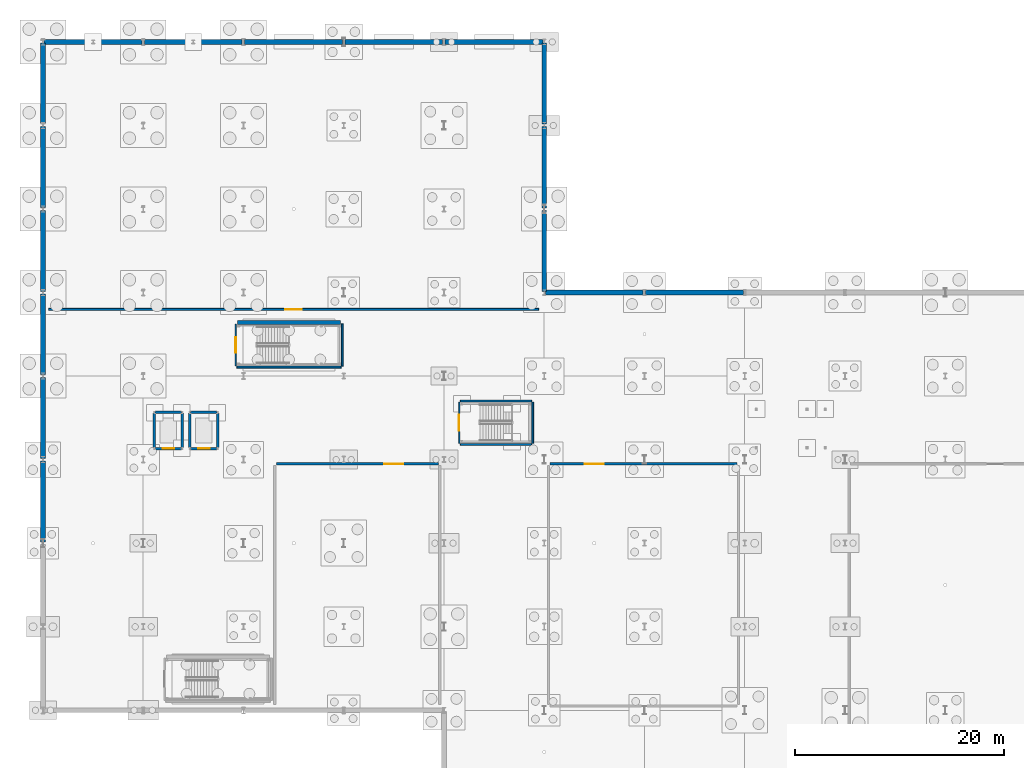
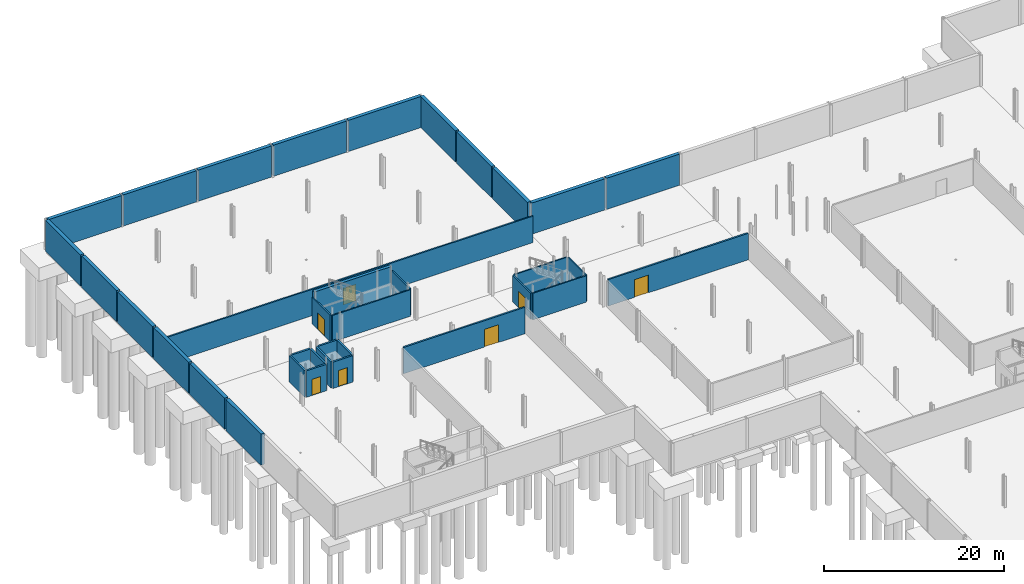
# One storey, part 38 of 47: 35 walls, 7 doors, 7 openings.
"""IFC4 building model written with IfcOpenShell, lengths in metres."""

import ifcopenshell
import ifcopenshell.guid

model = None  # the IFC model being written
_history = None  # IfcOwnerHistory: only IFC2X3 demands one
_inside = {}  # id of a spatial element -> (the spatial element, [elements in it])
_under = {}  # id of a project, library or spatial element -> (it, [spatial elements below it])
_declared = {}  # id of a project -> (the project, [libraries it declares])
_typed = {}  # id of a type object -> (the type object, [elements of that type])
_made_of = {}  # id of a material, layer set ... -> (it, [elements and type objects made of it])


def new_model(schema):
    """Start an empty IFC model of exactly this schema.

    Asked for "IFC4X3", IfcOpenShell would pick the latest addendum, in which some entities
    have other attributes; the version numbers below select the first issue.
    IFC2X3 requires an IfcOwnerHistory on every rooted entity: one is made here for all.
    """
    global model, _history
    if schema == "IFC4X3":
        model = ifcopenshell.file(schema_version=(4, 3, 0, 0))
    else:
        model = ifcopenshell.file(schema=schema)
    _inside.clear()
    _under.clear()
    _declared.clear()
    _typed.clear()
    _made_of.clear()
    _history = None
    if model.schema == "IFC2X3":
        org = make("IfcOrganization", Name="unknown")
        user = make(
            "IfcPersonAndOrganization",
            ThePerson=make("IfcPerson", FamilyName="unknown"),
            TheOrganization=org,
        )
        app = make(
            "IfcApplication",
            ApplicationDeveloper=org,
            Version="unknown",
            ApplicationFullName="unknown",
            ApplicationIdentifier="unknown",
        )
        _history = make(
            "IfcOwnerHistory",
            OwningUser=user,
            OwningApplication=app,
            ChangeAction="ADDED",
            CreationDate=0,
        )
    return model


def make(cls, **values):
    """One entity of the class cls with the attributes given. An attribute that is None is left unset."""
    return model.create_entity(
        cls, **{name: value for name, value in values.items() if value is not None}
    )


def rooted(cls, **values):
    """An entity with a GlobalId (a new one), such as an element, a storey or a relation."""
    return make(cls, GlobalId=ifcopenshell.guid.new(), OwnerHistory=_history, **values)


def si_unit(unit_type, name, prefix=None):
    """IfcSIUnit, for example si_unit("LENGTHUNIT", "METRE", prefix="MILLI")."""
    return make("IfcSIUnit", UnitType=unit_type, Prefix=prefix, Name=name)


def assignment(units):
    """IfcUnitAssignment: the units of a project."""
    return None if units is None else make("IfcUnitAssignment", Units=units)


def point(xyz):
    """IfcCartesianPoint."""
    return None if xyz is None else make("IfcCartesianPoint", Coordinates=xyz)


def direction(xyz):
    """IfcDirection."""
    return None if xyz is None else make("IfcDirection", DirectionRatios=xyz)


def frame(location, z_axis=None, x_axis=None):
    """IfcAxis2Placement3D, a coordinate frame: its origin and axes. An axis left out is left unset."""
    return make(
        "IfcAxis2Placement3D",
        Location=point(location),
        Axis=direction(z_axis),
        RefDirection=direction(x_axis),
    )


def frame_2d(location, x_axis=None):
    """IfcAxis2Placement2D, a coordinate frame in the plane: its origin and x axis."""
    return make(
        "IfcAxis2Placement2D", Location=point(location), RefDirection=direction(x_axis)
    )


def origin():
    """The frame at (0, 0, 0) with its axes left unset."""
    return frame((0.0, 0.0, 0.0))


def place(relative_to, where):
    """IfcLocalPlacement: puts the frame where relative to a parent placement (None: the world)."""
    return make(
        "IfcLocalPlacement", PlacementRelTo=relative_to, RelativePlacement=where
    )


def context(
    kind, dimensions, precision=None, world=None, true_north=None, identifier=None
):
    """IfcGeometricRepresentationContext, for example the 3D "Model" context."""
    return make(
        "IfcGeometricRepresentationContext",
        ContextIdentifier=identifier,
        ContextType=kind,
        CoordinateSpaceDimension=dimensions,
        Precision=precision,
        WorldCoordinateSystem=world,
        TrueNorth=true_north,
    )


def subcontext(parent, identifier, kind, view, scale=None):
    """IfcGeometricRepresentationSubContext, for example "Body" below "Model"."""
    return make(
        "IfcGeometricRepresentationSubContext",
        ContextIdentifier=identifier,
        ContextType=kind,
        ParentContext=parent,
        TargetScale=scale,
        TargetView=view,
    )


def project(units=None, contexts=None):
    """IfcProject with its units and contexts."""
    return rooted(
        "IfcProject",
        Name="project",
        RepresentationContexts=contexts,
        UnitsInContext=assignment(units),
    )


def spatial(cls, under=None, at=None, **own):
    """A site, building, storey or space (cls), placed at a placement, below another one or the project."""
    s = rooted(cls, ObjectPlacement=at, **own)
    if under is not None:
        _under.setdefault(under.id(), (under, []))[1].append(s)
    return s


def profile(cls, at=None, kind="AREA", **sizes):
    """A parametric profile (cls). Its sizes go by their IFC names, for example OverallWidth=200.0."""
    return make(cls, ProfileType=kind, Position=at, **sizes)


def rectangle(**sizes):
    """IfcRectangleProfileDef."""
    return profile("IfcRectangleProfileDef", **sizes)


def extrude(swept, where, along, depth):
    """IfcExtrudedAreaSolid: the profile swept, set in the frame where, extruded along a direction by depth."""
    return make(
        "IfcExtrudedAreaSolid",
        SweptArea=swept,
        Position=where,
        ExtrudedDirection=direction(along),
        Depth=depth,
    )


def shape(context_of_items, identifier, shape_type, items):
    """IfcShapeRepresentation: the items that make up one representation, for example the "Body"."""
    return make(
        "IfcShapeRepresentation",
        ContextOfItems=context_of_items,
        RepresentationIdentifier=identifier,
        RepresentationType=shape_type,
        Items=items,
    )


def material(Name=None, Category=None):
    """IfcMaterial."""
    return make("IfcMaterial", Name=Name, Category=Category)


def layer(
    of_material, thickness, ventilated=None, Name=None, Category=None, Priority=None
):
    """IfcMaterialLayer: one layer of a wall or slab, of a material (None: an air gap)."""
    return make(
        "IfcMaterialLayer",
        Material=of_material,
        LayerThickness=thickness,
        IsVentilated=ventilated,
        Name=Name,
        Category=Category,
        Priority=Priority,
    )


def layer_set(layers, Name=None):
    """IfcMaterialLayerSet."""
    return make("IfcMaterialLayerSet", MaterialLayers=layers, LayerSetName=Name)


def made_of(thing, what):
    """Note that an element or type object is made of a material, layer set ...; save() writes the relation."""
    if what is not None:
        _made_of.setdefault(what.id(), (what, []))[1].append(thing)
    return thing


def type_object(cls, material=None, **own):
    """A type object (cls), such as IfcWallType, which elements share."""
    return made_of(rooted(cls, **own), material)


def element(
    cls,
    number,
    at=None,
    inside=None,
    cuts=None,
    type_object=None,
    material=None,
    context=None,
    identifier="Body",
    shape_type=None,
    held_by="IfcProductDefinitionShape",
    body=None,
    shapes=None,
    **own,
):
    """One element of the class cls, such as IfcWall. Its Tag is "e" and its number.

    at: its placement. inside: the storey or other place that contains it. cuts: it is an
    opening in that element (IfcRelVoidsElement). A single representation is given by context,
    identifier, shape_type and body (its items); several are given by shapes. held_by: the class
    of the entity that holds the representations. save() writes the other relations.
    """
    e = rooted(cls, Tag="e%d" % number, ObjectPlacement=at, **own)
    if body is not None:
        shapes = [shape(context, identifier, shape_type, body)]
    if shapes is not None:
        e.Representation = make(held_by, Representations=shapes)
    if inside is not None:
        _inside.setdefault(inside.id(), (inside, []))[1].append(e)
    if cuts is not None:
        rooted(
            "IfcRelVoidsElement", RelatingBuildingElement=cuts, RelatedOpeningElement=e
        )
    if type_object is not None:
        _typed.setdefault(type_object.id(), (type_object, []))[1].append(e)
    return made_of(e, material)


def fill(opening, filler):
    """IfcRelFillsElement: the door or window that sits in an opening."""
    return rooted(
        "IfcRelFillsElement",
        RelatingOpeningElement=opening,
        RelatedBuildingElement=filler,
    )


def aggregate(whole, parts):
    """IfcRelAggregates: a whole, such as a stair, and the parts it consists of."""
    return rooted("IfcRelAggregates", RelatingObject=whole, RelatedObjects=parts)


def save(model, path):
    """Write the relations noted so far, then the file.

    IfcRelAggregates (storeys below a building ...), IfcRelContainedInSpatialStructure (elements
    in a storey), IfcRelDefinesByType, IfcRelAssociatesMaterial and IfcRelDeclares: one each for
    every whole, place, type object, material and project.
    """
    for whole, parts in _under.values():
        aggregate(whole, parts)
    for where, things in _inside.values():
        rooted(
            "IfcRelContainedInSpatialStructure",
            RelatedElements=things,
            RelatingStructure=where,
        )
    for kind, things in _typed.values():
        rooted("IfcRelDefinesByType", RelatedObjects=things, RelatingType=kind)
    for what, things in _made_of.values():
        rooted("IfcRelAssociatesMaterial", RelatedObjects=things, RelatingMaterial=what)
    for by, libraries in _declared.values():
        rooted("IfcRelDeclares", RelatingContext=by, RelatedDefinitions=libraries)
    model.write(path)


model = new_model("IFC4")

# Units and contexts
model_context = context("Model", 3, precision=1e-05, world=origin(), true_north=direction((0.0, 1.0)))
body_context = subcontext(model_context, "Body", "Model", "MODEL_VIEW")
ifc_project = project(units=[si_unit("LENGTHUNIT", "METRE"), si_unit("AREAUNIT", "SQUARE_METRE"), si_unit("VOLUMEUNIT", "CUBIC_METRE"), si_unit("PLANEANGLEUNIT", "RADIAN"), si_unit("MASSUNIT", "GRAM", prefix="KILO")], contexts=[model_context])

# Site, building, storey
site_placement = place(None, origin())
site = spatial("IfcSite", under=ifc_project, at=site_placement, CompositionType="ELEMENT")
building_placement = place(site_placement, origin())
building = spatial("IfcBuilding", under=site, at=building_placement, Name="Alderhovde Museum", CompositionType="ELEMENT")
storey_placement = place(building_placement, frame((0.0, 0.0, -4.5)))
storey = spatial("IfcBuildingStorey", under=building, at=storey_placement, Name="B1", CompositionType="ELEMENT", Elevation=-4.5)

# Wall, opening, door
ifc_material_1 = material(Name="Fire-Resisting Twin-Stud Compartment Wall")
ifc_layer_1 = layer(ifc_material_1, 0.18994140625)
ifc_layer_set_1 = layer_set([ifc_layer_1], Name="Fire-Resisting Twin-Stud Compartment Wall")
wall_type_1 = type_object("IfcWallType", Name="IW-FIRE-190", PredefinedType="SOLIDWALL", material=ifc_layer_set_1)
wall_1_placement = place(storey_placement, frame((10.139892578125, 86.39990234375, 0.0), z_axis=(0.0, 0.0, 1.0), x_axis=(1.0, 0.0, 0.0)))
wall_1 = element("IfcWall", 1, at=wall_1_placement, inside=storey, type_object=wall_type_1, Name="B1 Covered Bicycle Parking Hub Partition Wall S", PredefinedType="SOLIDWALL", context=body_context, shape_type="SweptSolid", body=[
    extrude(rectangle(XDim=46.920166015625, YDim=0.18994140625, at=frame_2d((23.4599609375, 0.0))), origin(), (0.0, 0.0, 1.0), 3.580078125),
])
opening_1_placement = place(wall_1_placement, frame((22.659912109375, 0.0, 0.0)))
opening_1 = element("IfcOpeningElement", 2, at=opening_1_placement, cuts=wall_1, Name="Opening FD-3", PredefinedType="OPENING", context=body_context, shape_type="SweptSolid", body=[
    extrude(rectangle(XDim=1.60009765625, YDim=2.25, at=frame_2d((0.800048828125, 1.125))), frame((0.0, 0.10498046875, 0.0), z_axis=(0.0, -1.0, 0.0), x_axis=(1.0, 0.0, 0.0)), (0.0, 0.0, 1.0), 0.2099609375),
])
ifc_material_2 = material(Name="Fire-Rated Compartment Double Door (Steel/Oak)", Category="steel")
door_type_1 = type_object("IfcDoorType", Name="FD-COMP-1600x2250", OperationType="NOTDEFINED", PredefinedType="DOOR", material=ifc_material_2)
door_1_placement = place(opening_1_placement, origin())
door_1 = element("IfcDoor", 3, at=door_1_placement, inside=storey, type_object=door_type_1, Name="B1 Covered Bicycle Parking Hub Door", OperationType="DOUBLE_DOOR_SINGLE_SWING", OverallHeight=2.25, OverallWidth=1.60009765625, PredefinedType="DOOR", context=body_context, shape_type="SweptSolid", body=[
    extrude(rectangle(XDim=1.60009765625, YDim=2.25, at=frame_2d((0.800048828125, 1.125))), frame((0.0, 0.02490234375, 0.0), z_axis=(0.0, -1.0, 0.0), x_axis=(1.0, 0.0, 0.0)), (0.0, 0.0, 1.0), 0.050048828125),
])
fill(opening_1, door_1)

ifc_material_3 = material(Name="Fire-Resisting Masonry Compartment Wall", Category="masonry")
ifc_layer_2 = layer(ifc_material_3, 0.2099609375)
ifc_layer_set_2 = layer_set([ifc_layer_2], Name="Fire-Resisting Masonry Compartment Wall")
wall_type_2 = type_object("IfcWallType", Name="IW-FIRE-210", PredefinedType="SOLIDWALL", material=ifc_layer_set_2)
wall_2_placement = place(storey_placement, frame((31.93994140625, 71.60009765625, 0.0), z_axis=(0.0, 0.0, 1.0), x_axis=(1.0, 0.0, 0.0)))
wall_2 = element("IfcWall", 4, at=wall_2_placement, inside=storey, type_object=wall_type_2, Name="B1 Collection Archive West Partition Wall N", PredefinedType="SOLIDWALL", context=body_context, shape_type="SweptSolid", body=[
    extrude(rectangle(XDim=15.52001953125, YDim=0.2099609375, at=frame_2d((7.760009765625, 0.0))), origin(), (0.0, 0.0, 1.0), 3.580078125),
])
opening_2_placement = place(wall_2_placement, frame((10.35791015625, 0.0, 0.0)))
opening_2 = element("IfcOpeningElement", 5, at=opening_2_placement, cuts=wall_2, Name="Opening FD-2", PredefinedType="OPENING", context=body_context, shape_type="SweptSolid", body=[
    extrude(rectangle(XDim=1.800048828125, YDim=2.39990234375, at=frame_2d((0.89990234375, 1.199951171875))), frame((0.0, 0.114990234375, 0.0), z_axis=(0.0, -1.0, 0.0), x_axis=(1.0, 0.0, 0.0)), (0.0, 0.0, 1.0), 0.22998046875),
])
ifc_material_4 = material(Name="Fire-Rated Double Archive Vault Door (Steel/Oak)", Category="steel")
door_type_2 = type_object("IfcDoorType", Name="FD-ARCH-1800x2400", OperationType="NOTDEFINED", PredefinedType="DOOR", material=ifc_material_4)
door_2_placement = place(opening_2_placement, origin())
door_2 = element("IfcDoor", 6, at=door_2_placement, inside=storey, type_object=door_type_2, Name="B1 Collection Archive West Door", OperationType="DOUBLE_DOOR_SINGLE_SWING", OverallHeight=2.39990234375, OverallWidth=1.800048828125, PredefinedType="DOOR", context=body_context, shape_type="SweptSolid", body=[
    extrude(rectangle(XDim=1.800048828125, YDim=2.39990234375, at=frame_2d((0.89990234375, 1.199951171875))), frame((0.0, 0.02490234375, 0.0), z_axis=(0.0, -1.0, 0.0), x_axis=(1.0, 0.0, 0.0)), (0.0, 0.0, 1.0), 0.050048828125),
])
fill(opening_2, door_2)

wall_3_placement = place(storey_placement, frame((58.139892578125, 71.60009765625, 0.0), z_axis=(0.0, 0.0, 1.0), x_axis=(1.0, 0.0, 0.0)))
wall_3 = element("IfcWall", 7, at=wall_3_placement, inside=storey, type_object=wall_type_2, Name="B1 Mineralogy Specimen Vault Partition Wall N", PredefinedType="SOLIDWALL", context=body_context, shape_type="SweptSolid", body=[
    extrude(rectangle(XDim=17.920166015625, YDim=0.2099609375, at=frame_2d((8.9599609375, 0.0))), origin(), (0.0, 0.0, 1.0), 3.580078125),
])
opening_3_placement = place(wall_3_placement, frame((3.35498046875, 0.0, 0.0)))
opening_3 = element("IfcOpeningElement", 8, at=opening_3_placement, cuts=wall_3, Name="Opening FD-2", PredefinedType="OPENING", context=body_context, shape_type="SweptSolid", body=[
    extrude(rectangle(XDim=1.800048828125, YDim=2.39990234375, at=frame_2d((0.89990234375, 1.199951171875))), frame((0.0, 0.114990234375, 0.0), z_axis=(0.0, -1.0, 0.0), x_axis=(1.0, 0.0, 0.0)), (0.0, 0.0, 1.0), 0.22998046875),
])
door_3_placement = place(opening_3_placement, origin())
door_3 = element("IfcDoor", 9, at=door_3_placement, inside=storey, type_object=door_type_2, Name="B1 Mineralogy Specimen Vault Door", OperationType="DOUBLE_DOOR_SINGLE_SWING", OverallHeight=2.39990234375, OverallWidth=1.800048828125, PredefinedType="DOOR", context=body_context, shape_type="SweptSolid", body=[
    extrude(rectangle(XDim=1.800048828125, YDim=2.39990234375, at=frame_2d((0.89990234375, 1.199951171875))), frame((0.0, 0.02490234375, 0.0), z_axis=(0.0, -1.0, 0.0), x_axis=(1.0, 0.0, 0.0)), (0.0, 0.0, 1.0), 0.050048828125),
])
fill(opening_3, door_3)

ifc_material_5 = material(Name="Concrete C40/50 and Fireboard Shaft Wall", Category="concrete")
ifc_layer_3 = layer(ifc_material_5, 0.22998046875)
ifc_layer_set_3 = layer_set([ifc_layer_3], Name="Concrete C40/50 and Fireboard Shaft Wall")
wall_type_3 = type_object("IfcWallType", Name="IW-SHAFT-230", PredefinedType="SOLIDWALL", material=ifc_layer_set_3)
wall_4_placement = place(storey_placement, frame((20.340087890625, 73.06005859375, 0.0), z_axis=(0.0, 0.0, 1.0), x_axis=(1.0, 0.0, 0.0)))
wall_4 = element("IfcWall", 10, at=wall_4_placement, inside=storey, type_object=wall_type_3, Name="B1 Passenger Lift PL-01 Shaft Wall South", PredefinedType="SOLIDWALL", context=body_context, shape_type="SweptSolid", body=[
    extrude(rectangle(XDim=2.52001953125, YDim=0.22998046875, at=frame_2d((1.260009765625, 0.0))), origin(), (0.0, 0.0, 1.0), 3.580078125),
])
opening_4_placement = place(wall_4_placement, frame((0.7099609375, 0.0, 0.0)))
opening_4 = element("IfcOpeningElement", 11, at=opening_4_placement, cuts=wall_4, Name="Opening LD-1", PredefinedType="OPENING", context=body_context, shape_type="SweptSolid", body=[
    extrude(rectangle(XDim=1.10009765625, YDim=2.199951171875, at=frame_2d((0.550048828125, 1.10009765625))), frame((0.0, 0.125, 0.0), z_axis=(0.0, -1.0, 0.0), x_axis=(1.0, 0.0, 0.0)), (0.0, 0.0, 1.0), 0.25),
])
ifc_material_6 = material(Name="Passenger Lift Sliding Landing Door (Steel/Oak)", Category="steel")
door_type_3 = type_object("IfcDoorType", Name="LD-PASS-1100x2200", OperationType="SLIDING_TO_LEFT", PredefinedType="DOOR", material=ifc_material_6)
door_4_placement = place(opening_4_placement, origin())
door_4 = element("IfcDoor", 12, at=door_4_placement, inside=storey, type_object=door_type_3, Name="B1 Passenger Lift PL-01 Landing Door", OperationType="SLIDING_TO_LEFT", OverallHeight=2.199951171875, OverallWidth=1.10009765625, PredefinedType="DOOR", context=body_context, shape_type="SweptSolid", body=[
    extrude(rectangle(XDim=1.10009765625, YDim=2.199951171875, at=frame_2d((0.550048828125, 1.10009765625))), frame((0.0, 0.02490234375, 0.0), z_axis=(0.0, -1.0, 0.0), x_axis=(1.0, 0.0, 0.0)), (0.0, 0.0, 1.0), 0.050048828125),
])
fill(opening_4, door_4)

# Walls
wall_5_placement = place(storey_placement, frame((20.340087890625, 76.5400390625, 0.0), z_axis=(0.0, 0.0, 1.0), x_axis=(1.0, 0.0, 0.0)))
element("IfcWall", 13, at=wall_5_placement, inside=storey, type_object=wall_type_3, Name="B1 Passenger Lift PL-01 Shaft Wall North", PredefinedType="SOLIDWALL", context=body_context, shape_type="SweptSolid", body=[
    extrude(rectangle(XDim=2.52001953125, YDim=0.22998046875, at=frame_2d((1.260009765625, 0.0))), origin(), (0.0, 0.0, 1.0), 3.580078125),
])
for number, where, z_axis, x_axis, name in (
    (14, (20.260009765625, 73.139892578125, 0.0), (0.0, 0.0, 1.0), (0.0, 1.0, 0.0), "B1 Passenger Lift PL-01 Shaft Wall West"),
    (15, (22.93994140625, 73.139892578125, 0.0), (0.0, 0.0, 1.0), (0.0, 1.0, 0.0), "B1 Passenger Lift PL-01 Shaft Wall East"),
):
    element("IfcWall", number, at=place(storey_placement, frame(where, z_axis=z_axis, x_axis=x_axis)), inside=storey, type_object=wall_type_3, Name=name, PredefinedType="SOLIDWALL", context=body_context, shape_type="SweptSolid", body=[
        extrude(rectangle(XDim=3.320068359375, YDim=0.22998046875, at=frame_2d((1.66015625, 0.0))), origin(), (0.0, 0.0, 1.0), 3.580078125),
    ])

# Wall, opening, door
wall_6_placement = place(storey_placement, frame((23.739990234375, 73.06005859375, 0.0), z_axis=(0.0, 0.0, 1.0), x_axis=(1.0, 0.0, 0.0)))
wall_6 = element("IfcWall", 16, at=wall_6_placement, inside=storey, type_object=wall_type_3, Name="B1 Passenger Lift PL-02 Shaft Wall South", PredefinedType="SOLIDWALL", context=body_context, shape_type="SweptSolid", body=[
    extrude(rectangle(XDim=2.52001953125, YDim=0.22998046875, at=frame_2d((1.260009765625, 0.0))), origin(), (0.0, 0.0, 1.0), 3.580078125),
])
opening_5_placement = place(wall_6_placement, frame((0.7099609375, 0.0, 0.0)))
opening_5 = element("IfcOpeningElement", 17, at=opening_5_placement, cuts=wall_6, Name="Opening LD-1", PredefinedType="OPENING", context=body_context, shape_type="SweptSolid", body=[
    extrude(rectangle(XDim=1.10009765625, YDim=2.199951171875, at=frame_2d((0.550048828125, 1.10009765625))), frame((0.0, 0.125, 0.0), z_axis=(0.0, -1.0, 0.0), x_axis=(1.0, 0.0, 0.0)), (0.0, 0.0, 1.0), 0.25),
])
door_5_placement = place(opening_5_placement, origin())
door_5 = element("IfcDoor", 18, at=door_5_placement, inside=storey, type_object=door_type_3, Name="B1 Passenger Lift PL-02 Landing Door", OperationType="SLIDING_TO_RIGHT", OverallHeight=2.199951171875, OverallWidth=1.10009765625, PredefinedType="DOOR", context=body_context, shape_type="SweptSolid", body=[
    extrude(rectangle(XDim=1.10009765625, YDim=2.199951171875, at=frame_2d((0.550048828125, 1.10009765625))), frame((0.0, 0.02490234375, 0.0), z_axis=(0.0, -1.0, 0.0), x_axis=(1.0, 0.0, 0.0)), (0.0, 0.0, 1.0), 0.050048828125),
])
fill(opening_5, door_5)

# Walls
wall_7_placement = place(storey_placement, frame((23.739990234375, 76.5400390625, 0.0), z_axis=(0.0, 0.0, 1.0), x_axis=(1.0, 0.0, 0.0)))
element("IfcWall", 19, at=wall_7_placement, inside=storey, type_object=wall_type_3, Name="B1 Passenger Lift PL-02 Shaft Wall North", PredefinedType="SOLIDWALL", context=body_context, shape_type="SweptSolid", body=[
    extrude(rectangle(XDim=2.52001953125, YDim=0.22998046875, at=frame_2d((1.260009765625, 0.0))), origin(), (0.0, 0.0, 1.0), 3.580078125),
])
for number, where, z_axis, x_axis, name in (
    (20, (23.659912109375, 73.139892578125, 0.0), (0.0, 0.0, 1.0), (0.0, 1.0, 0.0), "B1 Passenger Lift PL-02 Shaft Wall West"),
    (21, (26.340087890625, 73.139892578125, 0.0), (0.0, 0.0, 1.0), (0.0, 1.0, 0.0), "B1 Passenger Lift PL-02 Shaft Wall East"),
):
    element("IfcWall", number, at=place(storey_placement, frame(where, z_axis=z_axis, x_axis=x_axis)), inside=storey, type_object=wall_type_3, Name=name, PredefinedType="SOLIDWALL", context=body_context, shape_type="SweptSolid", body=[
        extrude(rectangle(XDim=3.320068359375, YDim=0.22998046875, at=frame_2d((1.66015625, 0.0))), origin(), (0.0, 0.0, 1.0), 3.580078125),
    ])

# Wall, opening, door
ifc_material_7 = material(Name="Fire-Resisting Stair Lobby Wall")
ifc_layer_4 = layer(ifc_material_7, 0.169921875)
ifc_layer_set_4 = layer_set([ifc_layer_4], Name="Fire-Resisting Stair Lobby Wall")
wall_type_4 = type_object("IfcWallType", Name="IW-STAIR-170", PredefinedType="SOLIDWALL", material=ifc_layer_set_4)
wall_8_placement = place(storey_placement, frame((28.06005859375, 80.9599609375, 0.0), z_axis=(0.0, 0.0, 1.0), x_axis=(0.0, 1.0, 0.0)))
wall_8 = element("IfcWall", 22, at=wall_8_placement, inside=storey, type_object=wall_type_4, Name="B1 Escape Stair ST2 Fire Wall W", PredefinedType="SOLIDWALL", context=body_context, shape_type="SweptSolid", body=[
    extrude(rectangle(XDim=4.0400390625, YDim=0.169921875, at=frame_2d((2.02001953125, 0.0))), origin(), (0.0, 0.0, 1.0), 3.580078125),
])
opening_6_placement = place(wall_8_placement, frame((1.27001953125, 0.0, 0.0)))
opening_6 = element("IfcOpeningElement", 23, at=opening_6_placement, cuts=wall_8, Name="Opening FD-1", PredefinedType="OPENING", context=body_context, shape_type="SweptSolid", body=[
    extrude(rectangle(XDim=1.5, YDim=2.199951171875, at=frame_2d((0.75, 1.10009765625))), frame((0.0, 0.094970703125, 0.0), z_axis=(0.0, -1.0, 0.0), x_axis=(1.0, 0.0, 0.0)), (0.0, 0.0, 1.0), 0.18994140625),
])
ifc_material_8 = material(Name="Fire-Rated Steel Stair Escape Door (Steel/Oak)", Category="steel")
door_type_4 = type_object("IfcDoorType", Name="FD-STAIR-1500x2200", OperationType="NOTDEFINED", PredefinedType="DOOR", material=ifc_material_8)
door_6_placement = place(opening_6_placement, origin())
door_6 = element("IfcDoor", 24, at=door_6_placement, inside=storey, type_object=door_type_4, Name="B1 Escape Stair ST2 Fire Door", OperationType="SINGLE_SWING_RIGHT", OverallHeight=2.199951171875, OverallWidth=1.5, PredefinedType="DOOR", context=body_context, shape_type="SweptSolid", body=[
    extrude(rectangle(XDim=1.5, YDim=2.199951171875, at=frame_2d((0.75, 1.10009765625))), frame((0.0, 0.02490234375, 0.0), z_axis=(0.0, -1.0, 0.0), x_axis=(1.0, 0.0, 0.0)), (0.0, 0.0, 1.0), 0.050048828125),
])
fill(opening_6, door_6)

# Walls
wall_9_placement = place(storey_placement, frame((38.260009765625, 80.9599609375, 0.0), z_axis=(0.0, 0.0, 1.0), x_axis=(0.0, 1.0, 0.0)))
element("IfcWall", 25, at=wall_9_placement, inside=storey, type_object=wall_type_4, Name="B1 Escape Stair ST2 Fire Wall E", PredefinedType="SOLIDWALL", context=body_context, shape_type="SweptSolid", body=[
    extrude(rectangle(XDim=4.0400390625, YDim=0.169921875, at=frame_2d((2.02001953125, 0.0))), origin(), (0.0, 0.0, 1.0), 3.580078125),
])
wall_10_placement = place(storey_placement, frame((28.159912109375, 80.860107421875, 0.0), z_axis=(0.0, 0.0, 1.0), x_axis=(1.0, 0.0, 0.0)))
element("IfcWall", 26, at=wall_10_placement, inside=storey, type_object=wall_type_4, Name="B1 Escape Stair ST2 Fire Wall S", PredefinedType="SOLIDWALL", context=body_context, shape_type="SweptSolid", body=[
    extrude(rectangle(XDim=10.0, YDim=0.169921875, at=frame_2d((5.0, 0.0))), origin(), (0.0, 0.0, 1.0), 3.580078125),
])

# Wall, opening, door
wall_11_placement = place(storey_placement, frame((49.4599609375, 73.56005859375, 0.0), z_axis=(0.0, 0.0, 1.0), x_axis=(0.0, 1.0, 0.0)))
wall_11 = element("IfcWall", 27, at=wall_11_placement, inside=storey, type_object=wall_type_4, Name="B1 Escape Stair ST6 Fire Wall W", PredefinedType="SOLIDWALL", context=body_context, shape_type="SweptSolid", body=[
    extrude(rectangle(XDim=3.9599609375, YDim=0.169921875, at=frame_2d((1.97998046875, 0.0))), origin(), (0.0, 0.0, 1.0), 3.580078125),
])
opening_7_placement = place(wall_11_placement, frame((1.22998046875, 0.0, 0.0)))
opening_7 = element("IfcOpeningElement", 28, at=opening_7_placement, cuts=wall_11, Name="Opening FD-1", PredefinedType="OPENING", context=body_context, shape_type="SweptSolid", body=[
    extrude(rectangle(XDim=1.5, YDim=2.199951171875, at=frame_2d((0.75, 1.10009765625))), frame((0.0, 0.094970703125, 0.0), z_axis=(0.0, -1.0, 0.0), x_axis=(1.0, 0.0, 0.0)), (0.0, 0.0, 1.0), 0.18994140625),
])
door_7_placement = place(opening_7_placement, origin())
door_7 = element("IfcDoor", 29, at=door_7_placement, inside=storey, type_object=door_type_4, Name="B1 Escape Stair ST6 Fire Door", OperationType="SINGLE_SWING_RIGHT", OverallHeight=2.199951171875, OverallWidth=1.5, PredefinedType="DOOR", context=body_context, shape_type="SweptSolid", body=[
    extrude(rectangle(XDim=1.5, YDim=2.199951171875, at=frame_2d((0.75, 1.10009765625))), frame((0.0, 0.02490234375, 0.0), z_axis=(0.0, -1.0, 0.0), x_axis=(1.0, 0.0, 0.0)), (0.0, 0.0, 1.0), 0.050048828125),
])
fill(opening_7, door_7)

# Walls
wall_12_placement = place(storey_placement, frame((56.5, 73.56005859375, 0.0), z_axis=(0.0, 0.0, 1.0), x_axis=(0.0, 1.0, 0.0)))
element("IfcWall", 30, at=wall_12_placement, inside=storey, type_object=wall_type_4, Name="B1 Escape Stair ST6 Fire Wall E", PredefinedType="SOLIDWALL", context=body_context, shape_type="SweptSolid", body=[
    extrude(rectangle(XDim=3.9599609375, YDim=0.169921875, at=frame_2d((1.97998046875, 0.0))), origin(), (0.0, 0.0, 1.0), 3.580078125),
])
for number, where, z_axis, x_axis, name in (
    (31, (49.56005859375, 73.4599609375, 0.0), (0.0, 0.0, 1.0), (1.0, 0.0, 0.0), "B1 Escape Stair ST6 Fire Wall S"),
    (32, (49.56005859375, 77.6201171875, 0.0), (0.0, 0.0, 1.0), (1.0, 0.0, 0.0), "B1 Escape Stair ST6 Fire Wall N"),
):
    element("IfcWall", number, at=place(storey_placement, frame(where, z_axis=z_axis, x_axis=x_axis)), inside=storey, type_object=wall_type_4, Name=name, PredefinedType="SOLIDWALL", context=body_context, shape_type="SweptSolid", body=[
        extrude(rectangle(XDim=6.83984375, YDim=0.169921875, at=frame_2d((3.419921875, 0.0))), origin(), (0.0, 0.0, 1.0), 3.580078125),
    ])
ifc_material_9 = material(Name="Concrete C40/50", Category="concrete")
ifc_layer_5 = layer(ifc_material_9, 0.3798828125)
ifc_layer_set_5 = layer_set([ifc_layer_5], Name="Concrete C40/50")
wall_type_5 = type_object("IfcWallType", Name="SW-CORE-380", PredefinedType="SHEAR", material=ifc_layer_set_5)
wall_13_placement = place(storey_placement, frame((28.25, 85.1201171875, 0.0), z_axis=(0.0, 0.0, 1.0), x_axis=(1.0, 0.0, 0.0)))
element("IfcWall", 33, at=wall_13_placement, inside=storey, type_object=wall_type_5, Name="B1 Core Concrete Shear Wall ST2", PredefinedType="SHEAR", context=body_context, shape_type="SweptSolid", body=[
    extrude(rectangle(XDim=9.820068359375, YDim=0.3798828125, at=frame_2d((4.91015625, 0.0))), origin(), (0.0, 0.0, 1.0), 4.219970703125),
])
ifc_material_10 = material(Name="Concrete C40/50", Category="concrete")
ifc_layer_6 = layer(ifc_material_10, 0.449951171875)
ifc_layer_set_6 = layer_set([ifc_layer_6], Name="Concrete C40/50")
wall_type_6 = type_object("IfcWallType", Name="SW-RET-450", PredefinedType="SHEAR", material=ifc_layer_set_6)
for number, where, z_axis, x_axis, name in (
    (34, (9.60009765625, 64.1201171875, 0.0), (0.0, 0.0, 1.0), (0.0, 1.0, 0.0), "B1 Concrete Perimeter Retaining Wall 3"),
    (35, (9.60009765625, 72.1201171875, 0.0), (0.0, 0.0, 1.0), (0.0, 1.0, 0.0), "B1 Concrete Perimeter Retaining Wall 4"),
    (36, (9.60009765625, 80.1201171875, 0.0), (0.0, 0.0, 1.0), (0.0, 1.0, 0.0), "B1 Concrete Perimeter Retaining Wall 5"),
    (37, (9.60009765625, 88.1201171875, 0.0), (0.0, 0.0, 1.0), (0.0, 1.0, 0.0), "B1 Concrete Perimeter Retaining Wall 6"),
    (38, (9.60009765625, 96.1201171875, 0.0), (0.0, 0.0, 1.0), (0.0, 1.0, 0.0), "B1 Concrete Perimeter Retaining Wall 7"),
    (39, (9.60009765625, 104.1201171875, 0.0), (0.0, 0.0, 1.0), (0.0, 1.0, 0.0), "B1 Concrete Perimeter Retaining Wall 8"),
):
    element("IfcWall", number, at=place(storey_placement, frame(where, z_axis=z_axis, x_axis=x_axis)), inside=storey, type_object=wall_type_6, Name=name, PredefinedType="SHEAR", context=body_context, shape_type="SweptSolid", body=[
        extrude(rectangle(XDim=7.759765625, YDim=0.449951171875, at=frame_2d((3.8798828125, 0.0))), origin(), (0.0, 0.0, 1.0), 4.219970703125),
    ])
wall_14_placement = place(storey_placement, frame((9.719970703125, 112.0, 0.0), z_axis=(0.0, 0.0, 1.0), x_axis=(1.0, 0.0, 0.0)))
element("IfcWall", 40, at=wall_14_placement, inside=storey, type_object=wall_type_6, Name="B1 Concrete Perimeter Retaining Wall 9", PredefinedType="SHEAR", context=body_context, shape_type="SweptSolid", body=[
    extrude(rectangle(XDim=9.360107421875, YDim=0.449951171875, at=frame_2d((4.68017578125, 0.0))), origin(), (0.0, 0.0, 1.0), 4.219970703125),
])
wall_15_placement = place(storey_placement, frame((19.320068359375, 112.0, 0.0), z_axis=(0.0, 0.0, 1.0), x_axis=(1.0, 0.0, 0.0)))
element("IfcWall", 41, at=wall_15_placement, inside=storey, type_object=wall_type_6, Name="B1 Concrete Perimeter Retaining Wall 10", PredefinedType="SHEAR", context=body_context, shape_type="SweptSolid", body=[
    extrude(rectangle(XDim=9.35986328125, YDim=0.449951171875, at=frame_2d((4.679931640625, 0.0))), origin(), (0.0, 0.0, 1.0), 4.219970703125),
])
wall_16_placement = place(storey_placement, frame((28.919921875, 112.0, 0.0), z_axis=(0.0, 0.0, 1.0), x_axis=(1.0, 0.0, 0.0)))
element("IfcWall", 42, at=wall_16_placement, inside=storey, type_object=wall_type_6, Name="B1 Concrete Perimeter Retaining Wall 11", PredefinedType="SHEAR", context=body_context, shape_type="SweptSolid", body=[
    extrude(rectangle(XDim=9.360107421875, YDim=0.449951171875, at=frame_2d((4.68017578125, 0.0))), origin(), (0.0, 0.0, 1.0), 4.219970703125),
])
for number, where, z_axis, x_axis, name in (
    (43, (38.52001953125, 112.0, 0.0), (0.0, 0.0, 1.0), (1.0, 0.0, 0.0), "B1 Concrete Perimeter Retaining Wall 12"),
    (44, (48.1201171875, 112.0, 0.0), (0.0, 0.0, 1.0), (1.0, 0.0, 0.0), "B1 Concrete Perimeter Retaining Wall 13"),
):
    element("IfcWall", number, at=place(storey_placement, frame(where, z_axis=z_axis, x_axis=x_axis)), inside=storey, type_object=wall_type_6, Name=name, PredefinedType="SHEAR", context=body_context, shape_type="SweptSolid", body=[
        extrude(rectangle(XDim=9.35986328125, YDim=0.449951171875, at=frame_2d((4.679931640625, 0.0))), origin(), (0.0, 0.0, 1.0), 4.219970703125),
    ])
for number, where, z_axis, x_axis, name in (
    (45, (57.60009765625, 88.1201171875, 0.0), (0.0, 0.0, 1.0), (0.0, 1.0, 0.0), "B1 Concrete Perimeter Retaining Wall 14"),
    (46, (57.60009765625, 96.1201171875, 0.0), (0.0, 0.0, 1.0), (0.0, 1.0, 0.0), "B1 Concrete Perimeter Retaining Wall 15"),
    (47, (57.60009765625, 104.1201171875, 0.0), (0.0, 0.0, 1.0), (0.0, 1.0, 0.0), "B1 Concrete Perimeter Retaining Wall 16"),
):
    element("IfcWall", number, at=place(storey_placement, frame(where, z_axis=z_axis, x_axis=x_axis)), inside=storey, type_object=wall_type_6, Name=name, PredefinedType="SHEAR", context=body_context, shape_type="SweptSolid", body=[
        extrude(rectangle(XDim=7.759765625, YDim=0.449951171875, at=frame_2d((3.8798828125, 0.0))), origin(), (0.0, 0.0, 1.0), 4.219970703125),
    ])
wall_17_placement = place(storey_placement, frame((57.719970703125, 88.0, 0.0), z_axis=(0.0, 0.0, 1.0), x_axis=(1.0, 0.0, 0.0)))
element("IfcWall", 48, at=wall_17_placement, inside=storey, type_object=wall_type_6, Name="B1 Concrete Perimeter Retaining Wall 17", PredefinedType="SHEAR", context=body_context, shape_type="SweptSolid", body=[
    extrude(rectangle(XDim=9.360107421875, YDim=0.449951171875, at=frame_2d((4.68017578125, 0.0))), origin(), (0.0, 0.0, 1.0), 4.219970703125),
])
wall_18_placement = place(storey_placement, frame((67.320068359375, 88.0, 0.0), z_axis=(0.0, 0.0, 1.0), x_axis=(1.0, 0.0, 0.0)))
element("IfcWall", 49, at=wall_18_placement, inside=storey, type_object=wall_type_6, Name="B1 Concrete Perimeter Retaining Wall 18", PredefinedType="SHEAR", context=body_context, shape_type="SweptSolid", body=[
    extrude(rectangle(XDim=9.35986328125, YDim=0.449951171875, at=frame_2d((4.679931640625, 0.0))), origin(), (0.0, 0.0, 1.0), 4.219970703125),
])

save(model, "model.ifc")
